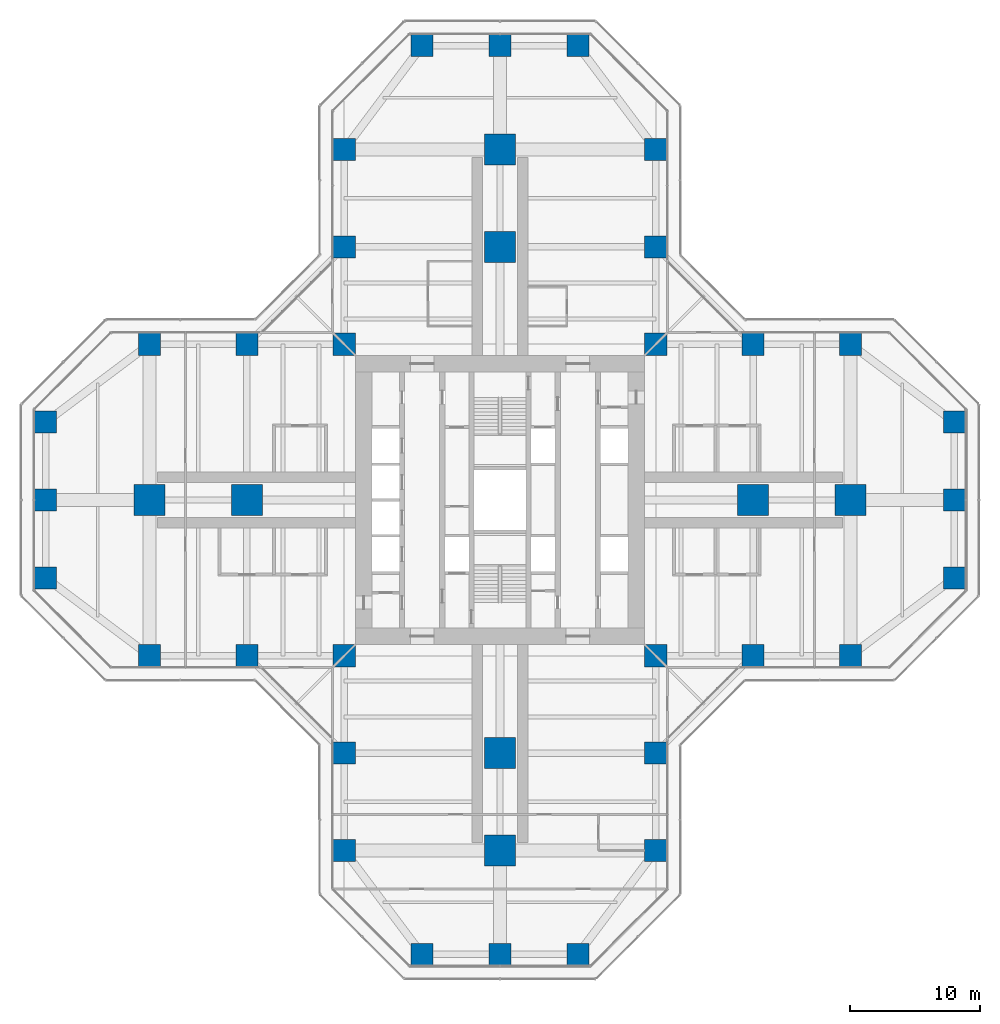
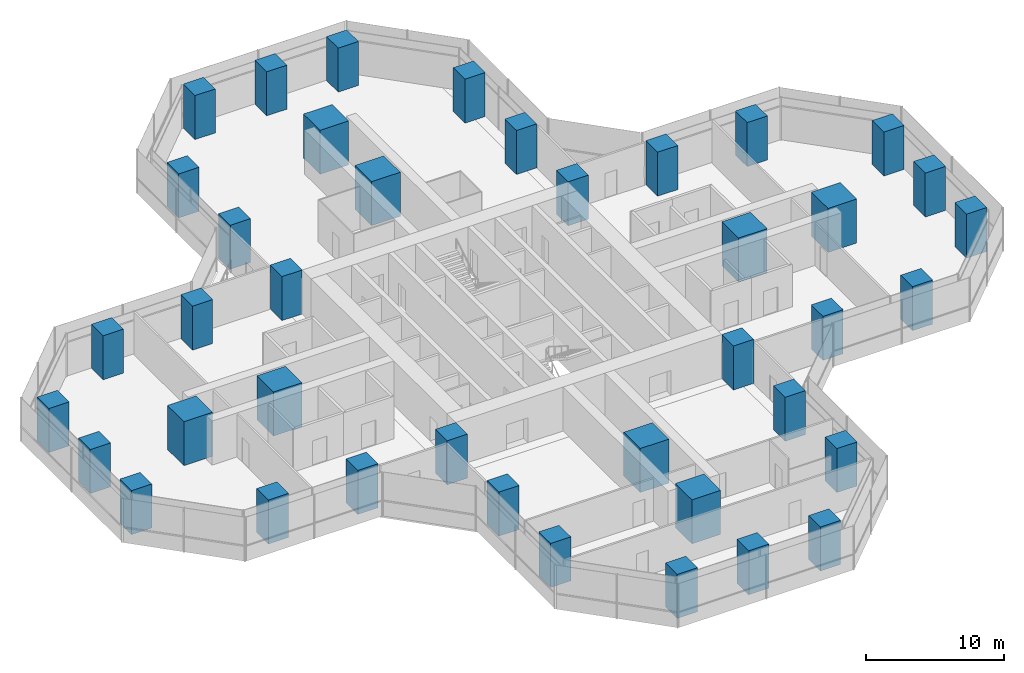
# One storey, part 1 of 22: 40 columns.
"""IFC4 building model written with IfcOpenShell, lengths in metres."""

from ifc_helpers import new_model, si_unit, direction, frame, origin, origin_2d, place, context, subcontext, project, spatial, rectangle, extrude, material, material_profile, profile_set, type_object, element, save


model = new_model("IFC4")

# Units and contexts
model_context = context("Model", 3, precision=1e-05, world=origin(), true_north=direction((0.0, 1.0)))
body_context = subcontext(model_context, "Body", "Model", "MODEL_VIEW")
ifc_project = project(units=[si_unit("LENGTHUNIT", "METRE"), si_unit("AREAUNIT", "SQUARE_METRE"), si_unit("VOLUMEUNIT", "CUBIC_METRE"), si_unit("PLANEANGLEUNIT", "RADIAN"), si_unit("MASSUNIT", "GRAM", prefix="KILO")], contexts=[model_context])

# Site, building, storey
site_placement = place(None, origin())
site = spatial("IfcSite", under=ifc_project, at=site_placement, CompositionType="ELEMENT")
building_placement = place(site_placement, origin())
building = spatial("IfcBuilding", under=site, at=building_placement, Name="Mizan Broadcast Tower", CompositionType="ELEMENT")
storey_placement = place(building_placement, frame((0.0, 0.0, 63.0)))
storey = spatial("IfcBuildingStorey", under=building, at=storey_placement, Name="L12", CompositionType="ELEMENT", Elevation=63.0)

# Columns
ifc_material_1 = material(Name="Concrete C70/85", Category="concrete")
ifc_material_profile_1 = material_profile(ifc_material_1, rectangle(XDim=1.699951171875, YDim=1.699951171875, at=origin_2d()), Name="RC 1700x1700")
ifc_profile_set_1 = profile_set([ifc_material_profile_1], Name="Concrete C70/85")
column_type_1 = type_object("IfcColumnType", Name="RC COLUMN 1700x1700 C70/85", PredefinedType="COLUMN", material=ifc_profile_set_1)
for number, where, z_axis, x_axis, name in (
    (1, (-6.0, -35.0, 0.0), (0.0, 0.0, 1.0), (1.0, 0.0, 0.0), "Column 5/A L12"),
    (2, (0.0, -35.0, 0.0), (0.0, 0.0, 1.0), (1.0, 0.0, 0.0), "Column 6/A L12"),
    (3, (6.0, -35.0, 0.0), (0.0, 0.0, 1.0), (1.0, 0.0, 0.0), "Column 7/A L12"),
    (4, (-12.0, -27.0, 0.0), (0.0, 0.0, 1.0), (1.0, 0.0, 0.0), "Column 4/B L12"),
    (5, (12.0, -27.0, 0.0), (0.0, 0.0, 1.0), (1.0, 0.0, 0.0), "Column 8/B L12"),
    (6, (-12.0, -19.5, 0.0), (0.0, 0.0, 1.0), (1.0, 0.0, 0.0), "Column 4/C L12"),
    (7, (12.0, -19.5, 0.0), (0.0, 0.0, 1.0), (1.0, 0.0, 0.0), "Column 8/C L12"),
    (8, (-27.0, -12.0, 0.0), (0.0, 0.0, 1.0), (1.0, 0.0, 0.0), "Column 2/D L12"),
    (9, (-19.5, -12.0, 0.0), (0.0, 0.0, 1.0), (1.0, 0.0, 0.0), "Column 3/D L12"),
    (10, (-12.0, -12.0, 0.0), (0.0, 0.0, 1.0), (1.0, 0.0, 0.0), "Column 4/D L12"),
    (11, (12.0, -12.0, 0.0), (0.0, 0.0, 1.0), (1.0, 0.0, 0.0), "Column 8/D L12"),
    (12, (19.5, -12.0, 0.0), (0.0, 0.0, 1.0), (1.0, 0.0, 0.0), "Column 9/D L12"),
    (13, (27.0, -12.0, 0.0), (0.0, 0.0, 1.0), (1.0, 0.0, 0.0), "Column 10/D L12"),
    (14, (-35.0, -6.0, 0.0), (0.0, 0.0, 1.0), (1.0, 0.0, 0.0), "Column 1/E L12"),
    (15, (35.0, -6.0, 0.0), (0.0, 0.0, 1.0), (1.0, 0.0, 0.0), "Column 11/E L12"),
    (16, (-35.0, 0.0, 0.0), (0.0, 0.0, 1.0), (1.0, 0.0, 0.0), "Column 1/F L12"),
    (17, (35.0, 0.0, 0.0), (0.0, 0.0, 1.0), (1.0, 0.0, 0.0), "Column 11/F L12"),
    (18, (-35.0, 6.0, 0.0), (0.0, 0.0, 1.0), (1.0, 0.0, 0.0), "Column 1/G L12"),
    (19, (35.0, 6.0, 0.0), (0.0, 0.0, 1.0), (1.0, 0.0, 0.0), "Column 11/G L12"),
    (20, (-27.0, 12.0, 0.0), (0.0, 0.0, 1.0), (1.0, 0.0, 0.0), "Column 2/H L12"),
    (21, (-19.5, 12.0, 0.0), (0.0, 0.0, 1.0), (1.0, 0.0, 0.0), "Column 3/H L12"),
    (22, (-12.0, 12.0, 0.0), (0.0, 0.0, 1.0), (1.0, 0.0, 0.0), "Column 4/H L12"),
    (23, (12.0, 12.0, 0.0), (0.0, 0.0, 1.0), (1.0, 0.0, 0.0), "Column 8/H L12"),
    (24, (19.5, 12.0, 0.0), (0.0, 0.0, 1.0), (1.0, 0.0, 0.0), "Column 9/H L12"),
    (25, (27.0, 12.0, 0.0), (0.0, 0.0, 1.0), (1.0, 0.0, 0.0), "Column 10/H L12"),
    (26, (-12.0, 19.5, 0.0), (0.0, 0.0, 1.0), (1.0, 0.0, 0.0), "Column 4/J L12"),
    (27, (12.0, 19.5, 0.0), (0.0, 0.0, 1.0), (1.0, 0.0, 0.0), "Column 8/J L12"),
    (28, (-12.0, 27.0, 0.0), (0.0, 0.0, 1.0), (1.0, 0.0, 0.0), "Column 4/K L12"),
    (29, (12.0, 27.0, 0.0), (0.0, 0.0, 1.0), (1.0, 0.0, 0.0), "Column 8/K L12"),
    (30, (-6.0, 35.0, 0.0), (0.0, 0.0, 1.0), (1.0, 0.0, 0.0), "Column 5/L L12"),
    (31, (0.0, 35.0, 0.0), (0.0, 0.0, 1.0), (1.0, 0.0, 0.0), "Column 6/L L12"),
    (32, (6.0, 35.0, 0.0), (0.0, 0.0, 1.0), (1.0, 0.0, 0.0), "Column 7/L L12"),
):
    element("IfcColumn", number, at=place(storey_placement, frame(where, z_axis=z_axis, x_axis=x_axis)), inside=storey, type_object=column_type_1, Name=name, PredefinedType="COLUMN", context=body_context, shape_type="SweptSolid", body=[
        extrude(rectangle(XDim=1.699951171875, YDim=1.699951171875, at=origin_2d()), origin(), (0.0, 0.0, 1.0), 3.89990234375),
    ])
ifc_material_2 = material(Name="Concrete C70/85", Category="concrete")
ifc_material_profile_2 = material_profile(ifc_material_2, rectangle(XDim=2.39990234375, YDim=2.39990234375, at=origin_2d()), Name="RC 2400x2400")
ifc_profile_set_2 = profile_set([ifc_material_profile_2], Name="Concrete C70/85")
column_type_2 = type_object("IfcColumnType", Name="RC COLUMN 2400x2400 C70/85", PredefinedType="COLUMN", material=ifc_profile_set_2)
for number, where, z_axis, x_axis, name in (
    (33, (0.0, -27.0, 0.0), (0.0, 0.0, 1.0), (1.0, 0.0, 0.0), "Column 6/B L12"),
    (34, (0.0, -19.5, 0.0), (0.0, 0.0, 1.0), (1.0, 0.0, 0.0), "Column 6/C L12"),
    (35, (-27.0, 0.0, 0.0), (0.0, 0.0, 1.0), (1.0, 0.0, 0.0), "Column 2/F L12"),
    (36, (-19.5, 0.0, 0.0), (0.0, 0.0, 1.0), (1.0, 0.0, 0.0), "Column 3/F L12"),
    (37, (19.5, 0.0, 0.0), (0.0, 0.0, 1.0), (1.0, 0.0, 0.0), "Column 9/F L12"),
    (38, (27.0, 0.0, 0.0), (0.0, 0.0, 1.0), (1.0, 0.0, 0.0), "Column 10/F L12"),
    (39, (0.0, 19.5, 0.0), (0.0, 0.0, 1.0), (1.0, 0.0, 0.0), "Column 6/J L12"),
    (40, (0.0, 27.0, 0.0), (0.0, 0.0, 1.0), (1.0, 0.0, 0.0), "Column 6/K L12"),
):
    element("IfcColumn", number, at=place(storey_placement, frame(where, z_axis=z_axis, x_axis=x_axis)), inside=storey, type_object=column_type_2, Name=name, PredefinedType="COLUMN", context=body_context, shape_type="SweptSolid", body=[
        extrude(rectangle(XDim=2.39990234375, YDim=2.39990234375, at=origin_2d()), origin(), (0.0, 0.0, 1.0), 3.89990234375),
    ])

save(model, "model.ifc")
